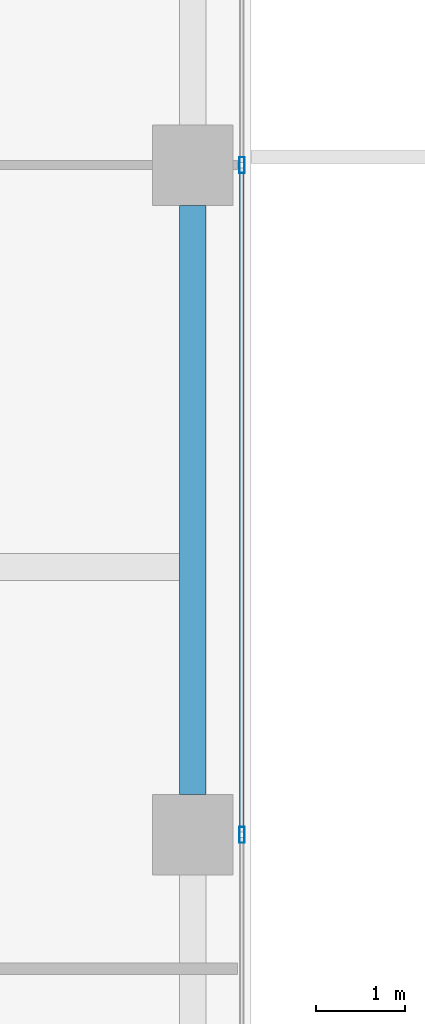
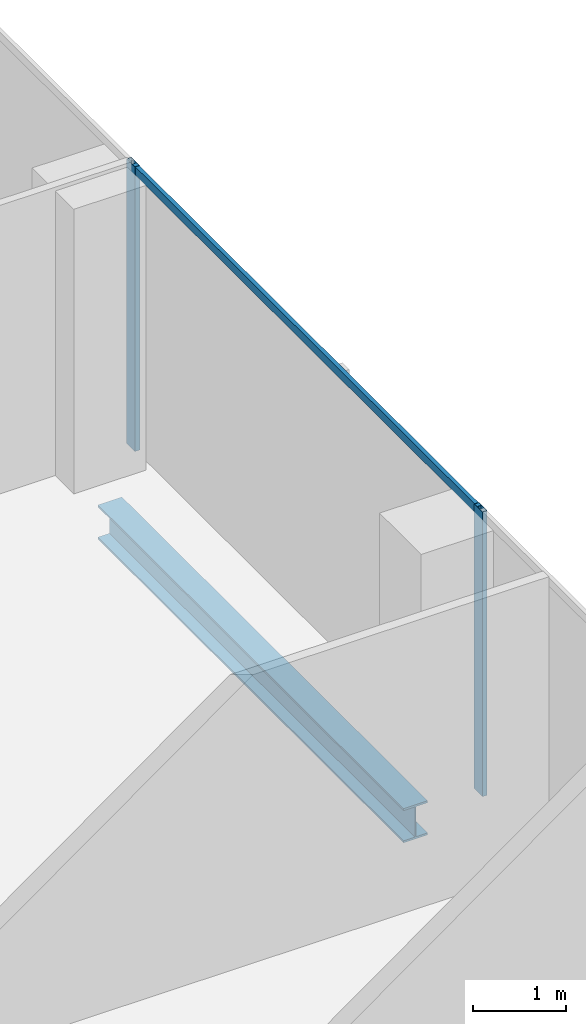
# One storey, part 11 of 34: 3 members, 1 beam, 1 element without a shape of its own.
"""IFC4 building model written with IfcOpenShell, lengths in metres."""

from ifc_helpers import new_model, si_unit, direction, frame, origin, origin_2d, place, context, subcontext, project, spatial, hollow_rectangle, i_section, extrude, source, transform, mapped, material, material_profile, profile_set, type_object, element, aggregate, save


model = new_model("IFC4")

# Units and contexts
model_context = context("Model", 3, precision=1e-05, world=origin(), true_north=direction((0.0, 1.0)))
body_context = subcontext(model_context, "Body", "Model", "MODEL_VIEW")
ifc_project = project(units=[si_unit("LENGTHUNIT", "METRE"), si_unit("AREAUNIT", "SQUARE_METRE"), si_unit("VOLUMEUNIT", "CUBIC_METRE"), si_unit("PLANEANGLEUNIT", "RADIAN"), si_unit("MASSUNIT", "GRAM", prefix="KILO")], contexts=[model_context])

# Site, building, storey
site_placement = place(None, origin())
site = spatial("IfcSite", under=ifc_project, at=site_placement, CompositionType="ELEMENT")
building_placement = place(site_placement, origin())
building = spatial("IfcBuilding", under=site, at=building_placement, Name="Khomas Fold Tower", CompositionType="ELEMENT")
storey_placement = place(building_placement, frame((0.0, 0.0, 254.199951171875)))
storey = spatial("IfcBuildingStorey", under=building, at=storey_placement, Name="L57", CompositionType="ELEMENT", Elevation=254.199951171875)

# Beam
ifc_material_1 = material(Name="Steel S355", Category="steel")
ifc_material_profile_1 = material_profile(ifc_material_1, i_section(OverallWidth=0.300048828125, OverallDepth=0.449951171875, WebThickness=0.013916015625, FlangeThickness=0.02587890625, at=origin_2d()), Name="HE 450 B")
ifc_profile_set_1 = profile_set([ifc_material_profile_1], Name="Steel S355")
beam_type = type_object("IfcBeamType", Name="HE 450 B spandrel SB4", PredefinedType="SPANDREL", material=ifc_profile_set_1)
shared_shape_1 = source(origin(), body_context, "Body", "SweptSolid", [
    extrude(i_section(OverallWidth=0.300048828125, OverallDepth=0.449951171875, WebThickness=0.013916015625, FlangeThickness=0.02587890625, at=origin_2d()), origin(), (0.0, 0.0, 1.0), 6.60009765625),
])
beam_placement = place(storey_placement, frame((48.85009765625, 19.949951171875, -0.474853515625), z_axis=(0.0, 1.0, 0.0), x_axis=(-1.0, 0.0, 0.0)))
element("IfcBeam", 1, at=beam_placement, inside=storey, type_object=beam_type, Name="SB4", PredefinedType="SPANDREL", context=body_context, shape_type="MappedRepresentation", body=[
    mapped(shared_shape_1, transform((0.0, 0.0, 0.0))),
])

# Curtain wall, members
ifc_material_2 = material(Name="Aluminium framed double glazing", Category="aluminium")
curtain_wall_type = type_object("IfcCurtainWallType", Name="SK-Unitised clear-glass wall, office floors CW2", PredefinedType="NOTDEFINED", material=ifc_material_2)
curtain_wall_placement = place(storey_placement, origin())
curtain_wall = element("IfcCurtainWall", 2, at=curtain_wall_placement, inside=storey, type_object=curtain_wall_type, Name="CW2 run L57 03-0", PredefinedType="NOTDEFINED")
ifc_material_3 = material(Name="Aluminium", Category="aluminium")
ifc_material_profile_2 = material_profile(ifc_material_3, hollow_rectangle(XDim=0.06005859375, YDim=0.179931640625, WallThickness=0.00390625, at=origin_2d()), Name="SK-Unitised clear-glass wall, office floors mullion CW2-M")
ifc_profile_set_2 = profile_set([ifc_material_profile_2], Name="Aluminium")
member_type_1 = type_object("IfcMemberType", Name="SK-Unitised clear-glass wall, office floors mullion CW2-M", PredefinedType="MULLION", material=ifc_profile_set_2)
shared_shape_2 = source(origin(), body_context, "Body", "SweptSolid", [
    extrude(hollow_rectangle(XDim=0.06005859375, YDim=0.179931640625, WallThickness=0.00390625, at=origin_2d()), origin(), (0.0, 0.0, 1.0), 3.75),
])
member_1_placement = place(storey_placement, frame((49.39990234375, 19.5, 0.0), z_axis=(0.0, 0.0, 1.0), x_axis=(-1.0, 0.0, 0.0)))
member_1 = element("IfcMember", 3, at=member_1_placement, type_object=member_type_1, Name="CW2 mullion 3", PredefinedType="MULLION", context=body_context, shape_type="MappedRepresentation", body=[
    mapped(shared_shape_2, transform((0.0, 0.0, 0.0))),
])
member_2_placement = place(storey_placement, frame((49.39990234375, 27.0, 0.0), z_axis=(0.0, 0.0, 1.0), x_axis=(-1.0, 0.0, 0.0)))
member_2 = element("IfcMember", 4, at=member_2_placement, type_object=member_type_1, Name="CW2 mullion 4", PredefinedType="MULLION", context=body_context, shape_type="MappedRepresentation", body=[
    mapped(shared_shape_2, transform((0.0, 0.0, 0.0))),
])
ifc_material_4 = material(Name="Aluminium", Category="aluminium")
ifc_material_profile_3 = material_profile(ifc_material_4, hollow_rectangle(XDim=0.050048828125, YDim=0.110107421875, WallThickness=0.00390625, at=origin_2d()), Name="SK-Unitised clear-glass wall, office floors transom CW2-T")
ifc_profile_set_3 = profile_set([ifc_material_profile_3], Name="Aluminium")
member_type_2 = type_object("IfcMemberType", Name="SK-Unitised clear-glass wall, office floors transom CW2-T", PredefinedType="USERDEFINED", material=ifc_profile_set_3)
shared_shape_3 = source(origin(), body_context, "Body", "SweptSolid", [
    extrude(hollow_rectangle(XDim=0.050048828125, YDim=0.110107421875, WallThickness=0.00390625, at=origin_2d()), origin(), (0.0, 0.0, 1.0), 7.43994140625),
])
member_3_placement = place(storey_placement, frame((49.39990234375, 19.530029296875, 3.695068359375), z_axis=(0.0, 1.0, 0.0), x_axis=(-1.0, 0.0, 0.0)))
member_3 = element("IfcMember", 5, at=member_3_placement, type_object=member_type_2, Name="CW2 transom 3", ObjectType="TRANSOM", PredefinedType="USERDEFINED", context=body_context, shape_type="MappedRepresentation", body=[
    mapped(shared_shape_3, transform((0.0, 0.0, 0.0))),
])
aggregate(curtain_wall, [member_1, member_2, member_3])

save(model, "model.ifc")
